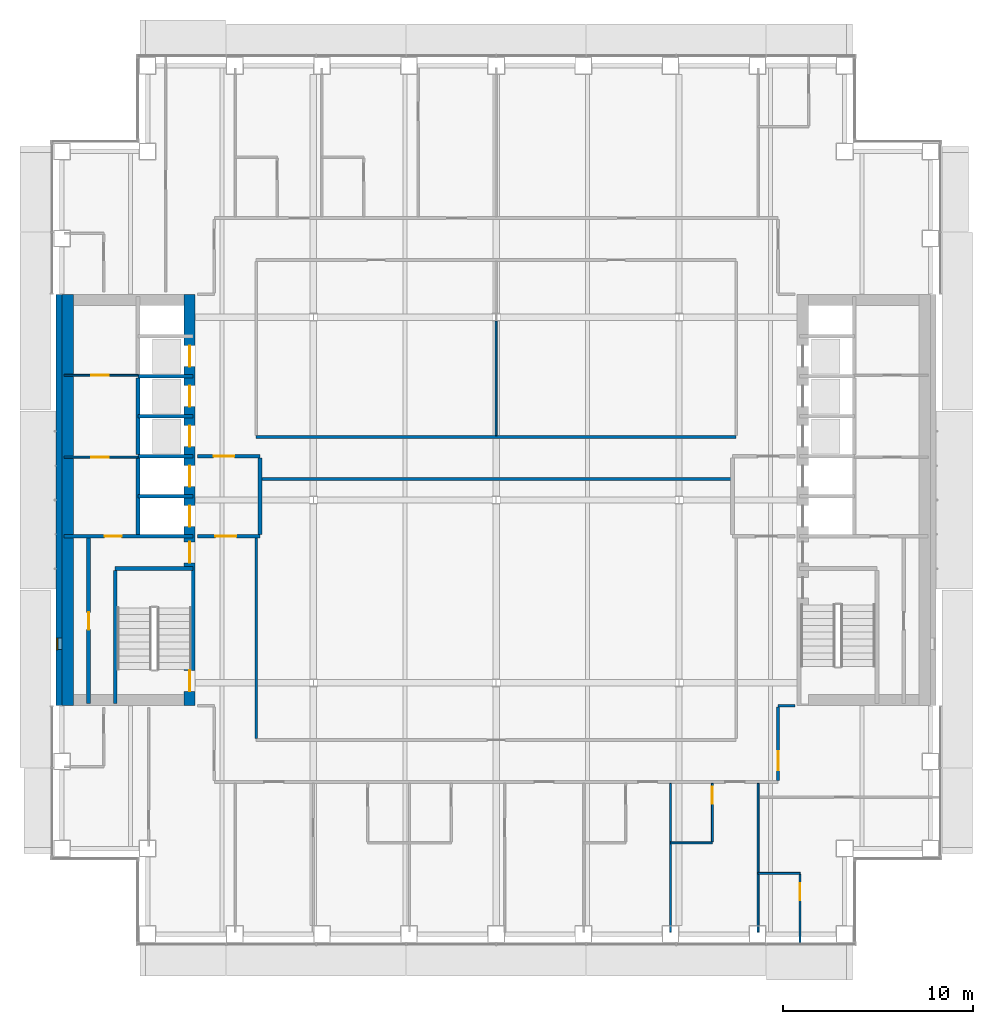
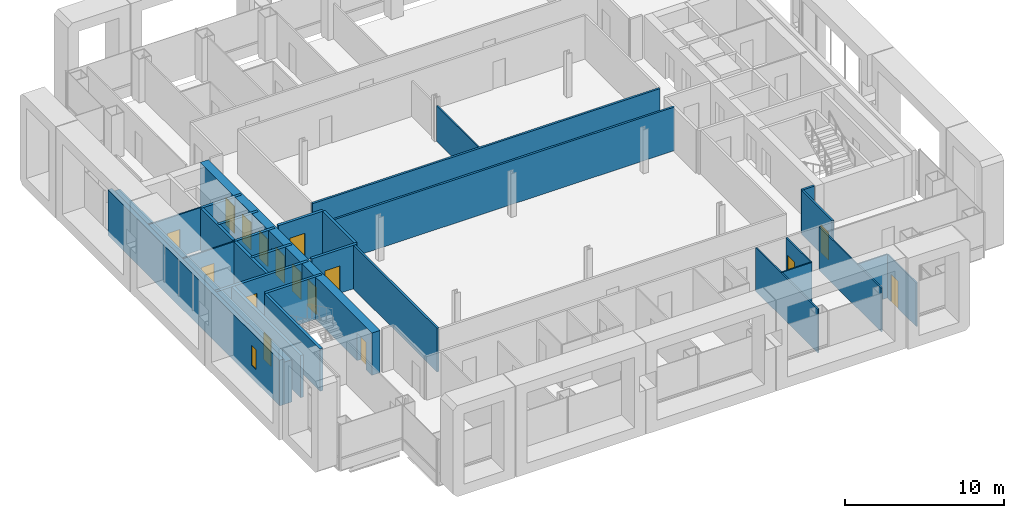
# One storey, part 11 of 19: 30 walls, 16 doors, 1 window, 17 openings.
"""IFC4 building model written with IfcOpenShell, lengths in metres."""

from ifc_helpers import new_model, si_unit, direction, frame, frame_2d, origin, place, context, subcontext, project, spatial, rectangle, extrude, material, layer, layer_set, type_object, element, fill, save


model = new_model("IFC4")

# Units and contexts
model_context = context("Model", 3, precision=1e-05, world=origin(), true_north=direction((0.0, 1.0)))
body_context = subcontext(model_context, "Body", "Model", "MODEL_VIEW")
ifc_project = project(units=[si_unit("LENGTHUNIT", "METRE"), si_unit("AREAUNIT", "SQUARE_METRE"), si_unit("VOLUMEUNIT", "CUBIC_METRE"), si_unit("PLANEANGLEUNIT", "RADIAN"), si_unit("MASSUNIT", "GRAM", prefix="KILO")], contexts=[model_context])

# Site, building, storey
site_placement = place(None, origin())
site = spatial("IfcSite", under=ifc_project, at=site_placement, CompositionType="ELEMENT")
building_placement = place(site_placement, origin())
building = spatial("IfcBuilding", under=site, at=building_placement, Name="Cobrizo Arcos Hotel Tower", CompositionType="ELEMENT")
storey_placement = place(building_placement, frame((0.0, 0.0, 103.0)))
storey = spatial("IfcBuildingStorey", under=building, at=storey_placement, Name="L25", CompositionType="ELEMENT", Elevation=103.0)

# Walls
ifc_material_1 = material(Name="Gypsum board partition")
ifc_layer_1 = layer(ifc_material_1, 0.14990234375)
ifc_layer_set_1 = layer_set([ifc_layer_1], Name="Corridor wall EI 60 150")
wall_type_1 = type_object("IfcWallType", Name="Corridor wall EI 60 150", PredefinedType="PARTITIONING", material=ifc_layer_set_1)
wall_1_placement = place(storey_placement, frame((14.800048828125, -10.800048828125, 0.0), z_axis=(0.0, 0.0, 1.0), x_axis=(1.0, 0.0, 0.0)))
element("IfcWall", 1, at=wall_1_placement, inside=storey, type_object=wall_type_1, Name="Partition 010", PredefinedType="PARTITIONING", context=body_context, shape_type="SweptSolid", body=[
    extrude(rectangle(XDim=0.8798828125, YDim=0.14990234375, at=frame_2d((0.43994140625, 0.0))), origin(), (0.0, 0.0, 1.0), 3.35009765625),
])
wall_2_placement = place(storey_placement, frame((-12.39990234375, 1.10009765625, 0.0), z_axis=(0.0, 0.0, 1.0), x_axis=(1.0, 0.0, 0.0)))
element("IfcWall", 2, at=wall_2_placement, inside=storey, type_object=wall_type_1, Name="Partition 019", PredefinedType="PARTITIONING", context=body_context, shape_type="SweptSolid", body=[
    extrude(rectangle(XDim=24.7998046875, YDim=0.14990234375, at=frame_2d((12.39990234375, 0.0))), origin(), (0.0, 0.0, 1.0), 3.35009765625),
])
wall_3_placement = place(storey_placement, frame((-12.60009765625, 3.300048828125, 0.0), z_axis=(0.0, 0.0, 1.0), x_axis=(1.0, 0.0, 0.0)))
element("IfcWall", 3, at=wall_3_placement, inside=storey, type_object=wall_type_1, Name="Partition 026", PredefinedType="PARTITIONING", context=body_context, shape_type="SweptSolid", body=[
    extrude(rectangle(XDim=25.2001953125, YDim=0.14990234375, at=frame_2d((12.60009765625, 0.0))), origin(), (0.0, 0.0, 1.0), 3.35009765625),
])
wall_4_placement = place(storey_placement, frame((-12.60009765625, -12.52490234375, 0.0), z_axis=(0.0, 0.0, 1.0), x_axis=(0.0, 1.0, 0.0)))
element("IfcWall", 4, at=wall_4_placement, inside=storey, type_object=wall_type_1, Name="Partition 056", PredefinedType="PARTITIONING", context=body_context, shape_type="SweptSolid", body=[
    extrude(rectangle(XDim=10.52490234375, YDim=0.14990234375, at=frame_2d((5.262451171875, 0.0))), origin(), (0.0, 0.0, 1.0), 3.35009765625),
])

# Wall, opening, door
wall_5_placement = place(storey_placement, frame((14.800048828125, -14.72509765625, 0.0), z_axis=(0.0, 0.0, 1.0), x_axis=(0.0, 1.0, 0.0)))
wall_5 = element("IfcWall", 5, at=wall_5_placement, inside=storey, type_object=wall_type_1, Name="Partition 084", PredefinedType="PARTITIONING", context=body_context, shape_type="SweptSolid", body=[
    extrude(rectangle(XDim=3.85009765625, YDim=0.14990234375, at=frame_2d((1.925048828125, 0.0))), origin(), (0.0, 0.0, 1.0), 3.35009765625),
])
opening_1_placement = place(wall_5_placement, frame((0.52490234375, 0.0, 0.0)))
opening_1 = element("IfcOpeningElement", 6, at=opening_1_placement, cuts=wall_5, Name="Opening GD-09", PredefinedType="OPENING", context=body_context, shape_type="SweptSolid", body=[
    extrude(rectangle(XDim=1.0, YDim=2.10009765625, at=frame_2d((0.5, 1.050048828125))), frame((0.0, 0.0869140625, 0.0), z_axis=(0.0, -1.0, 0.0), x_axis=(1.0, 0.0, 0.0)), (0.0, 0.0, 1.0), 0.173828125),
])
ifc_material_2 = material(Name="Timber door leaf", Category="wood")
door_type_1 = type_object("IfcDoorType", Name="Guest room door FD30S 1000x2100", OperationType="SINGLE_SWING_LEFT", PredefinedType="DOOR", material=ifc_material_2)
door_1_placement = place(opening_1_placement, origin())
door_1 = element("IfcDoor", 7, at=door_1_placement, inside=storey, type_object=door_type_1, Name="Door GD-09", OperationType="SINGLE_SWING_LEFT", OverallHeight=2.10009765625, OverallWidth=1.0, PredefinedType="DOOR", context=body_context, shape_type="SweptSolid", body=[
    extrude(rectangle(XDim=1.0, YDim=2.10009765625, at=frame_2d((0.5, 1.050048828125))), frame((0.0, 0.02490234375, 0.0), z_axis=(0.0, -1.0, 0.0), x_axis=(1.0, 0.0, 0.0)), (0.0, 0.0, 1.0), 0.050048828125),
])
fill(opening_1, door_1)

# Wall, opening, window
ifc_material_3 = material(Name="Aluminium composite panel pale metal", Category="aluminium")
ifc_layer_2 = layer(ifc_material_3, 0.300048828125)
ifc_layer_set_2 = layer_set([ifc_layer_2], Name="EW-1 insulated panel wall 300")
wall_type_2 = type_object("IfcWallType", Name="EW-1 insulated panel wall 300", PredefinedType="SOLIDWALL", material=ifc_layer_set_2)
wall_6_placement = place(storey_placement, frame((-22.949951171875, 10.800048828125, 0.0), z_axis=(0.0, 0.0, 1.0), x_axis=(0.0, -1.0, 0.0)))
wall_6 = element("IfcWall", 8, at=wall_6_placement, inside=storey, type_object=wall_type_2, Name="Core face wall L25 W", PredefinedType="SOLIDWALL", context=body_context, shape_type="SweptSolid", body=[
    extrude(rectangle(XDim=21.60009765625, YDim=0.300048828125, at=frame_2d((10.800048828125, 0.0))), origin(), (0.0, 0.0, 1.0), 3.5),
])
opening_2_placement = place(wall_6_placement, frame((18.050048828125, 0.0, 1.0)))
opening_2 = element("IfcOpeningElement", 9, at=opening_2_placement, cuts=wall_6, Name="Opening W-52", PredefinedType="OPENING", context=body_context, shape_type="SweptSolid", body=[
    extrude(rectangle(XDim=0.60009765625, YDim=1.5, at=frame_2d((0.300048828125, 0.75))), frame((0.0, 0.162109375, 0.0), z_axis=(0.0, -1.0, 0.0), x_axis=(1.0, 0.0, 0.0)), (0.0, 0.0, 1.0), 0.323974609375),
])
ifc_material_4 = material(Name="Aluminium 6063-T6 and clear laminated glass", Category="aluminium")
window_type = type_object("IfcWindowType", Name="W-C1 core stair slot window 600x1500", PartitioningType="SINGLE_PANEL", PredefinedType="WINDOW", material=ifc_material_4)
window_placement = place(opening_2_placement, origin())
window = element("IfcWindow", 10, at=window_placement, inside=storey, type_object=window_type, Name="Core face wall L25 W window W-52", OverallHeight=1.5, OverallWidth=0.60009765625, PartitioningType="SINGLE_PANEL", PredefinedType="WINDOW", context=body_context, shape_type="SweptSolid", body=[
    extrude(rectangle(XDim=0.60009765625, YDim=1.5, at=frame_2d((0.300048828125, 0.75))), frame((0.0, -0.06005859375, 0.0), z_axis=(0.0, -1.0, 0.0), x_axis=(1.0, 0.0, 0.0)), (0.0, 0.0, 1.0), 0.06005859375),
])
fill(opening_2, window)

# Walls
ifc_layer_3 = layer(ifc_material_1, 0.10009765625)
ifc_layer_set_3 = layer_set([ifc_layer_3], Name="Partition EI 30 100")
wall_type_3 = type_object("IfcWallType", Name="Partition EI 30 100", PredefinedType="PARTITIONING", material=ifc_layer_set_3)
wall_7_placement = place(storey_placement, frame((13.75, -19.60009765625, 0.0), z_axis=(0.0, 0.0, 1.0), x_axis=(1.0, 0.0, 0.0)))
element("IfcWall", 11, at=wall_7_placement, inside=storey, type_object=wall_type_3, Name="Partition 001", PredefinedType="PARTITIONING", context=body_context, shape_type="SweptSolid", body=[
    extrude(rectangle(XDim=2.199951171875, YDim=0.10009765625, at=frame_2d((1.10009765625, 0.0))), origin(), (0.0, 0.0, 1.0), 3.35009765625),
])
wall_8_placement = place(storey_placement, frame((9.14990234375, -18.0, 0.0), z_axis=(0.0, 0.0, 1.0), x_axis=(1.0, 0.0, 0.0)))
element("IfcWall", 12, at=wall_8_placement, inside=storey, type_object=wall_type_3, Name="Partition 004", PredefinedType="PARTITIONING", context=body_context, shape_type="SweptSolid", body=[
    extrude(rectangle(XDim=2.2001953125, YDim=0.10009765625, at=frame_2d((1.10009765625, 0.0))), origin(), (0.0, 0.0, 1.0), 3.35009765625),
])

# Wall, opening, door
wall_9_placement = place(storey_placement, frame((-22.679931640625, 2.25, 0.0), z_axis=(0.0, 0.0, 1.0), x_axis=(1.0, 0.0, 0.0)))
wall_9 = element("IfcWall", 13, at=wall_9_placement, inside=storey, type_object=wall_type_3, Name="Partition 020", PredefinedType="PARTITIONING", context=body_context, shape_type="SweptSolid", body=[
    extrude(rectangle(XDim=3.8798828125, YDim=0.10009765625, at=frame_2d((1.93994140625, 0.0))), origin(), (0.0, 0.0, 1.0), 3.25),
])
opening_3_placement = place(wall_9_placement, frame((1.429931640625, 0.0, 0.0)))
opening_3 = element("IfcOpeningElement", 14, at=opening_3_placement, cuts=wall_9, Name="Opening RD-03", PredefinedType="OPENING", context=body_context, shape_type="SweptSolid", body=[
    extrude(rectangle(XDim=0.89990234375, YDim=2.10009765625, at=frame_2d((0.449951171875, 1.050048828125))), frame((0.0, 0.06201171875, 0.0), z_axis=(0.0, -1.0, 0.0), x_axis=(1.0, 0.0, 0.0)), (0.0, 0.0, 1.0), 0.1240234375),
])
door_type_2 = type_object("IfcDoorType", Name="Room door FD30 900x2100", OperationType="SINGLE_SWING_LEFT", PredefinedType="DOOR", material=ifc_material_2)
door_2_placement = place(opening_3_placement, origin())
door_2 = element("IfcDoor", 15, at=door_2_placement, inside=storey, type_object=door_type_2, Name="Door RD-03", OperationType="SINGLE_SWING_LEFT", OverallHeight=2.10009765625, OverallWidth=0.89990234375, PredefinedType="DOOR", context=body_context, shape_type="SweptSolid", body=[
    extrude(rectangle(XDim=0.89990234375, YDim=2.10009765625, at=frame_2d((0.449951171875, 1.050048828125))), frame((0.0, 0.02490234375, 0.0), z_axis=(0.0, -1.0, 0.0), x_axis=(1.0, 0.0, 0.0)), (0.0, 0.0, 1.0), 0.050048828125),
])
fill(opening_3, door_2)

wall_10_placement = place(storey_placement, frame((-22.679931640625, 6.550048828125, 0.0), z_axis=(0.0, 0.0, 1.0), x_axis=(1.0, 0.0, 0.0)))
wall_10 = element("IfcWall", 16, at=wall_10_placement, inside=storey, type_object=wall_type_3, Name="Partition 031", PredefinedType="PARTITIONING", context=body_context, shape_type="SweptSolid", body=[
    extrude(rectangle(XDim=3.8798828125, YDim=0.10009765625, at=frame_2d((1.93994140625, 0.0))), origin(), (0.0, 0.0, 1.0), 3.25),
])
opening_4_placement = place(wall_10_placement, frame((1.429931640625, 0.0, 0.0)))
opening_4 = element("IfcOpeningElement", 17, at=opening_4_placement, cuts=wall_10, Name="Opening RD-04", PredefinedType="OPENING", context=body_context, shape_type="SweptSolid", body=[
    extrude(rectangle(XDim=0.89990234375, YDim=2.10009765625, at=frame_2d((0.449951171875, 1.050048828125))), frame((0.0, 0.06201171875, 0.0), z_axis=(0.0, -1.0, 0.0), x_axis=(1.0, 0.0, 0.0)), (0.0, 0.0, 1.0), 0.1240234375),
])
door_3_placement = place(opening_4_placement, origin())
door_3 = element("IfcDoor", 18, at=door_3_placement, inside=storey, type_object=door_type_2, Name="Door RD-04", OperationType="SINGLE_SWING_LEFT", OverallHeight=2.10009765625, OverallWidth=0.89990234375, PredefinedType="DOOR", context=body_context, shape_type="SweptSolid", body=[
    extrude(rectangle(XDim=0.89990234375, YDim=2.10009765625, at=frame_2d((0.449951171875, 1.050048828125))), frame((0.0, 0.02490234375, 0.0), z_axis=(0.0, -1.0, 0.0), x_axis=(1.0, 0.0, 0.0)), (0.0, 0.0, 1.0), 0.050048828125),
])
fill(opening_4, door_3)

# Walls
wall_11_placement = place(storey_placement, frame((0.0, 3.375, 0.0), z_axis=(0.0, 0.0, 1.0), x_axis=(0.0, 1.0, 0.0)))
element("IfcWall", 19, at=wall_11_placement, inside=storey, type_object=wall_type_3, Name="Partition 069", PredefinedType="PARTITIONING", context=body_context, shape_type="SweptSolid", body=[
    extrude(rectangle(XDim=6.02587890625, YDim=0.10009765625, at=frame_2d((3.012939453125, 0.0))), origin(), (0.0, 0.0, 1.0), 2.72802734375),
])
wall_12_placement = place(storey_placement, frame((9.14990234375, -22.679931640625, 0.0), z_axis=(0.0, 0.0, 1.0), x_axis=(0.0, 1.0, 0.0)))
element("IfcWall", 20, at=wall_12_placement, inside=storey, type_object=wall_type_3, Name="Partition 077", PredefinedType="PARTITIONING", context=body_context, shape_type="SweptSolid", body=[
    extrude(rectangle(XDim=7.804931640625, YDim=0.10009765625, at=frame_2d((3.90234375, 0.0))), origin(), (0.0, 0.0, 1.0), 3.35009765625),
])

# Wall, opening, door
wall_13_placement = place(storey_placement, frame((11.35009765625, -17.949951171875, 0.0), z_axis=(0.0, 0.0, 1.0), x_axis=(0.0, 1.0, 0.0)))
wall_13 = element("IfcWall", 21, at=wall_13_placement, inside=storey, type_object=wall_type_3, Name="Partition 078", PredefinedType="PARTITIONING", context=body_context, shape_type="SweptSolid", body=[
    extrude(rectangle(XDim=3.074951171875, YDim=0.10009765625, at=frame_2d((1.53759765625, 0.0))), origin(), (0.0, 0.0, 1.0), 3.35009765625),
])
opening_5_placement = place(wall_13_placement, frame((1.99609375, 0.0, 0.0)))
opening_5 = element("IfcOpeningElement", 22, at=opening_5_placement, cuts=wall_13, Name="Opening ED-06", PredefinedType="OPENING", context=body_context, shape_type="SweptSolid", body=[
    extrude(rectangle(XDim=0.89990234375, YDim=2.10009765625, at=frame_2d((0.449951171875, 1.050048828125))), frame((0.0, 0.06201171875, 0.0), z_axis=(0.0, -1.0, 0.0), x_axis=(1.0, 0.0, 0.0)), (0.0, 0.0, 1.0), 0.1240234375),
])
door_type_3 = type_object("IfcDoorType", Name="En-suite door 900x2100", OperationType="SINGLE_SWING_LEFT", PredefinedType="DOOR", material=ifc_material_2)
door_4_placement = place(opening_5_placement, origin())
door_4 = element("IfcDoor", 23, at=door_4_placement, inside=storey, type_object=door_type_3, Name="Door ED-06", OperationType="SINGLE_SWING_LEFT", OverallHeight=2.10009765625, OverallWidth=0.89990234375, PredefinedType="DOOR", context=body_context, shape_type="SweptSolid", body=[
    extrude(rectangle(XDim=0.89990234375, YDim=2.10009765625, at=frame_2d((0.449951171875, 1.050048828125))), frame((0.0, 0.02490234375, 0.0), z_axis=(0.0, -1.0, 0.0), x_axis=(1.0, 0.0, 0.0)), (0.0, 0.0, 1.0), 0.050048828125),
])
fill(opening_5, door_4)

# Wall
wall_14_placement = place(storey_placement, frame((13.75, -22.679931640625, 0.0), z_axis=(0.0, 0.0, 1.0), x_axis=(0.0, 1.0, 0.0)))
element("IfcWall", 24, at=wall_14_placement, inside=storey, type_object=wall_type_3, Name="Partition 082", PredefinedType="PARTITIONING", context=body_context, shape_type="SweptSolid", body=[
    extrude(rectangle(XDim=7.804931640625, YDim=0.10009765625, at=frame_2d((3.90234375, 0.0))), origin(), (0.0, 0.0, 1.0), 3.35009765625),
])

# Wall, opening, door
wall_15_placement = place(storey_placement, frame((15.949951171875, -23.280029296875, 0.0), z_axis=(0.0, 0.0, 1.0), x_axis=(0.0, 1.0, 0.0)))
wall_15 = element("IfcWall", 25, at=wall_15_placement, inside=storey, type_object=wall_type_3, Name="Partition 086", PredefinedType="PARTITIONING", context=body_context, shape_type="SweptSolid", body=[
    extrude(rectangle(XDim=3.630126953125, YDim=0.10009765625, at=frame_2d((1.81494140625, 0.0))), origin(), (0.0, 0.0, 1.0), 3.35009765625),
])
opening_6_placement = place(wall_15_placement, frame((2.27001953125, 0.0, 0.0)))
opening_6 = element("IfcOpeningElement", 26, at=opening_6_placement, cuts=wall_15, Name="Opening ED-09", PredefinedType="OPENING", context=body_context, shape_type="SweptSolid", body=[
    extrude(rectangle(XDim=0.89990234375, YDim=2.10009765625, at=frame_2d((0.449951171875, 1.050048828125))), frame((0.0, 0.06201171875, 0.0), z_axis=(0.0, -1.0, 0.0), x_axis=(1.0, 0.0, 0.0)), (0.0, 0.0, 1.0), 0.1240234375),
])
door_5_placement = place(opening_6_placement, origin())
door_5 = element("IfcDoor", 27, at=door_5_placement, inside=storey, type_object=door_type_3, Name="Door ED-09", OperationType="SINGLE_SWING_LEFT", OverallHeight=2.10009765625, OverallWidth=0.89990234375, PredefinedType="DOOR", context=body_context, shape_type="SweptSolid", body=[
    extrude(rectangle(XDim=0.89990234375, YDim=2.10009765625, at=frame_2d((0.449951171875, 1.050048828125))), frame((0.0, 0.02490234375, 0.0), z_axis=(0.0, -1.0, 0.0), x_axis=(1.0, 0.0, 0.0)), (0.0, 0.0, 1.0), 0.050048828125),
])
fill(opening_6, door_5)

# Wall, openings, doors
ifc_material_5 = material(Name="Concrete f'c 50 MPa", Category="concrete")
ifc_layer_4 = layer(ifc_material_5, 0.60009765625)
ifc_layer_set_4 = layer_set([ifc_layer_4], Name="RC core wall 600 f'c 50")
wall_type_4 = type_object("IfcWallType", Name="RC core wall 600 f'c 50", PredefinedType="SHEAR", material=ifc_layer_set_4)
wall_16_placement = place(storey_placement, frame((-16.10009765625, -10.800048828125, 0.0), z_axis=(0.0, 0.0, 1.0), x_axis=(0.0, 1.0, 0.0)))
wall_16 = element("IfcWall", 28, at=wall_16_placement, inside=storey, type_object=wall_type_4, Name="Core wall CW2, west core, inner face, L25", PredefinedType="SHEAR", context=body_context, shape_type="SweptSolid", body=[
    extrude(rectangle(XDim=21.60009765625, YDim=0.60009765625, at=frame_2d((10.800048828125, 0.0))), origin(), (0.0, 0.0, 1.0), 3.25),
])
opening_7_placement = place(wall_16_placement, frame((9.39990234375, 0.0, 0.0)))
opening_7 = element("IfcOpeningElement", 29, at=opening_7_placement, cuts=wall_16, Name="Opening LD-01", PredefinedType="OPENING", context=body_context, shape_type="SweptSolid", body=[
    extrude(rectangle(XDim=1.10009765625, YDim=2.10009765625, at=frame_2d((0.550048828125, 1.050048828125))), frame((0.0, 0.31201171875, 0.0), z_axis=(0.0, -1.0, 0.0), x_axis=(1.0, 0.0, 0.0)), (0.0, 0.0, 1.0), 0.6240234375),
])
opening_8_placement = place(wall_16_placement, frame((11.5, 0.0, 0.0)))
opening_8 = element("IfcOpeningElement", 30, at=opening_8_placement, cuts=wall_16, Name="Opening LD-02", PredefinedType="OPENING", context=body_context, shape_type="SweptSolid", body=[
    extrude(rectangle(XDim=1.10009765625, YDim=2.10009765625, at=frame_2d((0.550048828125, 1.050048828125))), frame((0.0, 0.31201171875, 0.0), z_axis=(0.0, -1.0, 0.0), x_axis=(1.0, 0.0, 0.0)), (0.0, 0.0, 1.0), 0.6240234375),
])
opening_9_placement = place(wall_16_placement, frame((13.60009765625, 0.0, 0.0)))
opening_9 = element("IfcOpeningElement", 31, at=opening_9_placement, cuts=wall_16, Name="Opening LD-03", PredefinedType="OPENING", context=body_context, shape_type="SweptSolid", body=[
    extrude(rectangle(XDim=1.10009765625, YDim=2.10009765625, at=frame_2d((0.550048828125, 1.050048828125))), frame((0.0, 0.31201171875, 0.0), z_axis=(0.0, -1.0, 0.0), x_axis=(1.0, 0.0, 0.0)), (0.0, 0.0, 1.0), 0.6240234375),
])
opening_10_placement = place(wall_16_placement, frame((15.699951171875, 0.0, 0.0)))
opening_10 = element("IfcOpeningElement", 32, at=opening_10_placement, cuts=wall_16, Name="Opening LD-04", PredefinedType="OPENING", context=body_context, shape_type="SweptSolid", body=[
    extrude(rectangle(XDim=1.10009765625, YDim=2.10009765625, at=frame_2d((0.550048828125, 1.050048828125))), frame((0.0, 0.31201171875, 0.0), z_axis=(0.0, -1.0, 0.0), x_axis=(1.0, 0.0, 0.0)), (0.0, 0.0, 1.0), 0.6240234375),
])
opening_11_placement = place(wall_16_placement, frame((17.800048828125, 0.0, 0.0)))
opening_11 = element("IfcOpeningElement", 33, at=opening_11_placement, cuts=wall_16, Name="Opening LD-05", PredefinedType="OPENING", context=body_context, shape_type="SweptSolid", body=[
    extrude(rectangle(XDim=1.10009765625, YDim=2.10009765625, at=frame_2d((0.550048828125, 1.050048828125))), frame((0.0, 0.31201171875, 0.0), z_axis=(0.0, -1.0, 0.0), x_axis=(1.0, 0.0, 0.0)), (0.0, 0.0, 1.0), 0.6240234375),
])
opening_12_placement = place(wall_16_placement, frame((0.758056640625, 0.0, 0.0)))
opening_12 = element("IfcOpeningElement", 34, at=opening_12_placement, cuts=wall_16, Name="Opening SD-01", PredefinedType="OPENING", context=body_context, shape_type="SweptSolid", body=[
    extrude(rectangle(XDim=1.10009765625, YDim=2.10009765625, at=frame_2d((0.550048828125, 1.050048828125))), frame((0.0, 0.31201171875, 0.0), z_axis=(0.0, -1.0, 0.0), x_axis=(1.0, 0.0, 0.0)), (0.0, 0.0, 1.0), 0.6240234375),
])
opening_13_placement = place(wall_16_placement, frame((7.5, 0.0, 0.0)))
opening_13 = element("IfcOpeningElement", 35, at=opening_13_placement, cuts=wall_16, Name="Opening FD-01", PredefinedType="OPENING", context=body_context, shape_type="SweptSolid", body=[
    extrude(rectangle(XDim=1.10009765625, YDim=2.10009765625, at=frame_2d((0.550048828125, 1.050048828125))), frame((0.0, 0.31201171875, 0.0), z_axis=(0.0, -1.0, 0.0), x_axis=(1.0, 0.0, 0.0)), (0.0, 0.0, 1.0), 0.6240234375),
])
ifc_material_6 = material(Name="Steel door leaf", Category="steel")
door_type_4 = type_object("IfcDoorType", Name="Fire door FD60 1100x2100", OperationType="SINGLE_SWING_LEFT", PredefinedType="DOOR", material=ifc_material_6)
door_6_placement = place(opening_13_placement, origin())
door_6 = element("IfcDoor", 36, at=door_6_placement, inside=storey, type_object=door_type_4, Name="Door FD-01", OperationType="SINGLE_SWING_LEFT", OverallHeight=2.10009765625, OverallWidth=1.10009765625, PredefinedType="DOOR", context=body_context, shape_type="SweptSolid", body=[
    extrude(rectangle(XDim=1.10009765625, YDim=2.10009765625, at=frame_2d((0.550048828125, 1.050048828125))), frame((0.0, 0.02490234375, 0.0), z_axis=(0.0, -1.0, 0.0), x_axis=(1.0, 0.0, 0.0)), (0.0, 0.0, 1.0), 0.050048828125),
])
fill(opening_13, door_6)
door_type_5 = type_object("IfcDoorType", Name="Lift landing door 1100x2100", OperationType="SLIDING_TO_LEFT", PredefinedType="DOOR", material=ifc_material_6)
door_7_placement = place(opening_7_placement, origin())
door_7 = element("IfcDoor", 37, at=door_7_placement, inside=storey, type_object=door_type_5, Name="Lift landing door LD-01", OperationType="SLIDING_TO_LEFT", OverallHeight=2.10009765625, OverallWidth=1.10009765625, PredefinedType="DOOR", context=body_context, shape_type="SweptSolid", body=[
    extrude(rectangle(XDim=1.10009765625, YDim=2.10009765625, at=frame_2d((0.550048828125, 1.050048828125))), frame((0.0, 0.02490234375, 0.0), z_axis=(0.0, -1.0, 0.0), x_axis=(1.0, 0.0, 0.0)), (0.0, 0.0, 1.0), 0.050048828125),
])
fill(opening_7, door_7)
door_8_placement = place(opening_8_placement, origin())
door_8 = element("IfcDoor", 38, at=door_8_placement, inside=storey, type_object=door_type_5, Name="Lift landing door LD-02", OperationType="SLIDING_TO_LEFT", OverallHeight=2.10009765625, OverallWidth=1.10009765625, PredefinedType="DOOR", context=body_context, shape_type="SweptSolid", body=[
    extrude(rectangle(XDim=1.10009765625, YDim=2.10009765625, at=frame_2d((0.550048828125, 1.050048828125))), frame((0.0, 0.02490234375, 0.0), z_axis=(0.0, -1.0, 0.0), x_axis=(1.0, 0.0, 0.0)), (0.0, 0.0, 1.0), 0.050048828125),
])
fill(opening_8, door_8)
door_9_placement = place(opening_9_placement, origin())
door_9 = element("IfcDoor", 39, at=door_9_placement, inside=storey, type_object=door_type_5, Name="Lift landing door LD-03", OperationType="SLIDING_TO_LEFT", OverallHeight=2.10009765625, OverallWidth=1.10009765625, PredefinedType="DOOR", context=body_context, shape_type="SweptSolid", body=[
    extrude(rectangle(XDim=1.10009765625, YDim=2.10009765625, at=frame_2d((0.550048828125, 1.050048828125))), frame((0.0, 0.02490234375, 0.0), z_axis=(0.0, -1.0, 0.0), x_axis=(1.0, 0.0, 0.0)), (0.0, 0.0, 1.0), 0.050048828125),
])
fill(opening_9, door_9)
door_10_placement = place(opening_10_placement, origin())
door_10 = element("IfcDoor", 40, at=door_10_placement, inside=storey, type_object=door_type_5, Name="Lift landing door LD-04", OperationType="SLIDING_TO_LEFT", OverallHeight=2.10009765625, OverallWidth=1.10009765625, PredefinedType="DOOR", context=body_context, shape_type="SweptSolid", body=[
    extrude(rectangle(XDim=1.10009765625, YDim=2.10009765625, at=frame_2d((0.550048828125, 1.050048828125))), frame((0.0, 0.02490234375, 0.0), z_axis=(0.0, -1.0, 0.0), x_axis=(1.0, 0.0, 0.0)), (0.0, 0.0, 1.0), 0.050048828125),
])
fill(opening_10, door_10)
door_11_placement = place(opening_11_placement, origin())
door_11 = element("IfcDoor", 41, at=door_11_placement, inside=storey, type_object=door_type_5, Name="Lift landing door LD-05", OperationType="SLIDING_TO_LEFT", OverallHeight=2.10009765625, OverallWidth=1.10009765625, PredefinedType="DOOR", context=body_context, shape_type="SweptSolid", body=[
    extrude(rectangle(XDim=1.10009765625, YDim=2.10009765625, at=frame_2d((0.550048828125, 1.050048828125))), frame((0.0, 0.02490234375, 0.0), z_axis=(0.0, -1.0, 0.0), x_axis=(1.0, 0.0, 0.0)), (0.0, 0.0, 1.0), 0.050048828125),
])
fill(opening_11, door_11)
door_type_6 = type_object("IfcDoorType", Name="Stair door FD60S 1100x2100", OperationType="SINGLE_SWING_LEFT", PredefinedType="DOOR", material=ifc_material_6)
door_12_placement = place(opening_12_placement, origin())
door_12 = element("IfcDoor", 42, at=door_12_placement, inside=storey, type_object=door_type_6, Name="Door SD-01", OperationType="SINGLE_SWING_RIGHT", OverallHeight=2.10009765625, OverallWidth=1.10009765625, PredefinedType="DOOR", context=body_context, shape_type="SweptSolid", body=[
    extrude(rectangle(XDim=1.10009765625, YDim=2.10009765625, at=frame_2d((0.550048828125, 1.050048828125))), frame((0.0, 0.02490234375, 0.0), z_axis=(0.0, -1.0, 0.0), x_axis=(1.0, 0.0, 0.0)), (0.0, 0.0, 1.0), 0.050048828125),
])
fill(opening_12, door_12)

# Wall
wall_17_placement = place(storey_placement, frame((-22.5, -10.800048828125, 0.0), z_axis=(0.0, 0.0, 1.0), x_axis=(0.0, 1.0, 0.0)))
element("IfcWall", 43, at=wall_17_placement, inside=storey, type_object=wall_type_4, Name="Core wall CW2, west core, outer face, L25", PredefinedType="SHEAR", context=body_context, shape_type="SweptSolid", body=[
    extrude(rectangle(XDim=21.60009765625, YDim=0.60009765625, at=frame_2d((10.800048828125, 0.0))), origin(), (0.0, 0.0, 1.0), 3.25),
])

# Wall, opening, door
ifc_layer_5 = layer(ifc_material_1, 0.199951171875)
ifc_layer_set_5 = layer_set([ifc_layer_5], Name="Shaft wall EI 120 200")
wall_type_5 = type_object("IfcWallType", Name="Shaft wall EI 120 200", PredefinedType="PARTITIONING", material=ifc_layer_set_5)
wall_18_placement = place(storey_placement, frame((-22.679931640625, -1.89990234375, 0.0), z_axis=(0.0, 0.0, 1.0), x_axis=(1.0, 0.0, 0.0)))
wall_18 = element("IfcWall", 44, at=wall_18_placement, inside=storey, type_object=wall_type_5, Name="Partition 013", PredefinedType="PARTITIONING", context=body_context, shape_type="SweptSolid", body=[
    extrude(rectangle(XDim=6.760009765625, YDim=0.199951171875, at=frame_2d((3.3798828125, 0.0))), origin(), (0.0, 0.0, 1.0), 3.25),
])
opening_14_placement = place(wall_18_placement, frame((2.1201171875, 0.0, 0.0)))
opening_14 = element("IfcOpeningElement", 45, at=opening_14_placement, cuts=wall_18, Name="Opening RD-02", PredefinedType="OPENING", context=body_context, shape_type="SweptSolid", body=[
    extrude(rectangle(XDim=0.89990234375, YDim=2.10009765625, at=frame_2d((0.449951171875, 1.050048828125))), frame((0.0, 0.112060546875, 0.0), z_axis=(0.0, -1.0, 0.0), x_axis=(1.0, 0.0, 0.0)), (0.0, 0.0, 1.0), 0.223876953125),
])
door_13_placement = place(opening_14_placement, origin())
door_13 = element("IfcDoor", 46, at=door_13_placement, inside=storey, type_object=door_type_2, Name="Door RD-02", OperationType="SINGLE_SWING_RIGHT", OverallHeight=2.10009765625, OverallWidth=0.89990234375, PredefinedType="DOOR", context=body_context, shape_type="SweptSolid", body=[
    extrude(rectangle(XDim=0.89990234375, YDim=2.10009765625, at=frame_2d((0.449951171875, 1.050048828125))), frame((0.0, 0.02490234375, 0.0), z_axis=(0.0, -1.0, 0.0), x_axis=(1.0, 0.0, 0.0)), (0.0, 0.0, 1.0), 0.050048828125),
])
fill(opening_14, door_13)

wall_19_placement = place(storey_placement, frame((-15.679931640625, -1.89990234375, 0.0), z_axis=(0.0, 0.0, 1.0), x_axis=(1.0, 0.0, 0.0)))
wall_19 = element("IfcWall", 47, at=wall_19_placement, inside=storey, type_object=wall_type_5, Name="Partition 014", PredefinedType="PARTITIONING", context=body_context, shape_type="SweptSolid", body=[
    extrude(rectangle(XDim=3.280029296875, YDim=0.199951171875, at=frame_2d((1.64013671875, 0.0))), origin(), (0.0, 0.0, 1.0), 3.35009765625),
])
opening_15_placement = place(wall_19_placement, frame((0.93994140625, 0.0, 0.0)))
opening_15 = element("IfcOpeningElement", 48, at=opening_15_placement, cuts=wall_19, Name="Opening FD-02", PredefinedType="OPENING", context=body_context, shape_type="SweptSolid", body=[
    extrude(rectangle(XDim=1.10009765625, YDim=2.10009765625, at=frame_2d((0.550048828125, 1.050048828125))), frame((0.0, 0.112060546875, 0.0), z_axis=(0.0, -1.0, 0.0), x_axis=(1.0, 0.0, 0.0)), (0.0, 0.0, 1.0), 0.223876953125),
])
door_14_placement = place(opening_15_placement, origin())
door_14 = element("IfcDoor", 49, at=door_14_placement, inside=storey, type_object=door_type_4, Name="Door FD-02", OperationType="SINGLE_SWING_LEFT", OverallHeight=2.10009765625, OverallWidth=1.10009765625, PredefinedType="DOOR", context=body_context, shape_type="SweptSolid", body=[
    extrude(rectangle(XDim=1.10009765625, YDim=2.10009765625, at=frame_2d((0.550048828125, 1.050048828125))), frame((0.0, 0.02490234375, 0.0), z_axis=(0.0, -1.0, 0.0), x_axis=(1.0, 0.0, 0.0)), (0.0, 0.0, 1.0), 0.050048828125),
])
fill(opening_15, door_14)

# Walls
for number, where, z_axis, x_axis, name in (
    (50, (-18.800048828125, 0.199951171875, 0.0), (0.0, 0.0, 1.0), (1.0, 0.0, 0.0), "Partition 017"),
    (51, (-18.800048828125, 2.300048828125, 0.0), (0.0, 0.0, 1.0), (1.0, 0.0, 0.0), "Partition 022"),
):
    element("IfcWall", number, at=place(storey_placement, frame(where, z_axis=z_axis, x_axis=x_axis)), inside=storey, type_object=wall_type_5, Name=name, PredefinedType="PARTITIONING", context=body_context, shape_type="SweptSolid", body=[
        extrude(rectangle(XDim=2.880126953125, YDim=0.199951171875, at=frame_2d((1.43994140625, 0.0))), origin(), (0.0, 0.0, 1.0), 3.25),
    ])

# Wall, opening, door
wall_20_placement = place(storey_placement, frame((-15.679931640625, 2.300048828125, 0.0), z_axis=(0.0, 0.0, 1.0), x_axis=(1.0, 0.0, 0.0)))
wall_20 = element("IfcWall", 52, at=wall_20_placement, inside=storey, type_object=wall_type_5, Name="Partition 023", PredefinedType="PARTITIONING", context=body_context, shape_type="SweptSolid", body=[
    extrude(rectangle(XDim=3.280029296875, YDim=0.199951171875, at=frame_2d((1.64013671875, 0.0))), origin(), (0.0, 0.0, 1.0), 3.35009765625),
])
opening_16_placement = place(wall_20_placement, frame((0.840087890625, 0.0, 0.0)))
opening_16 = element("IfcOpeningElement", 53, at=opening_16_placement, cuts=wall_20, Name="Opening FD-03", PredefinedType="OPENING", context=body_context, shape_type="SweptSolid", body=[
    extrude(rectangle(XDim=1.10009765625, YDim=2.10009765625, at=frame_2d((0.550048828125, 1.050048828125))), frame((0.0, 0.112060546875, 0.0), z_axis=(0.0, -1.0, 0.0), x_axis=(1.0, 0.0, 0.0)), (0.0, 0.0, 1.0), 0.223876953125),
])
door_15_placement = place(opening_16_placement, origin())
door_15 = element("IfcDoor", 54, at=door_15_placement, inside=storey, type_object=door_type_4, Name="Door FD-03", OperationType="SINGLE_SWING_RIGHT", OverallHeight=2.10009765625, OverallWidth=1.10009765625, PredefinedType="DOOR", context=body_context, shape_type="SweptSolid", body=[
    extrude(rectangle(XDim=1.10009765625, YDim=2.10009765625, at=frame_2d((0.550048828125, 1.050048828125))), frame((0.0, 0.02490234375, 0.0), z_axis=(0.0, -1.0, 0.0), x_axis=(1.0, 0.0, 0.0)), (0.0, 0.0, 1.0), 0.050048828125),
])
fill(opening_16, door_15)

# Walls
for number, where, z_axis, x_axis, name in (
    (55, (-18.800048828125, 4.39990234375, 0.0), (0.0, 0.0, 1.0), (1.0, 0.0, 0.0), "Partition 027"),
    (56, (-18.800048828125, 6.5, 0.0), (0.0, 0.0, 1.0), (1.0, 0.0, 0.0), "Partition 029"),
):
    element("IfcWall", number, at=place(storey_placement, frame(where, z_axis=z_axis, x_axis=x_axis)), inside=storey, type_object=wall_type_5, Name=name, PredefinedType="PARTITIONING", context=body_context, shape_type="SweptSolid", body=[
        extrude(rectangle(XDim=2.880126953125, YDim=0.199951171875, at=frame_2d((1.43994140625, 0.0))), origin(), (0.0, 0.0, 1.0), 3.25),
    ])

# Wall, opening, door
wall_21_placement = place(storey_placement, frame((-21.39990234375, -10.679931640625, 0.0), z_axis=(0.0, 0.0, 1.0), x_axis=(0.0, 1.0, 0.0)))
wall_21 = element("IfcWall", 57, at=wall_21_placement, inside=storey, type_object=wall_type_5, Name="Partition 043", PredefinedType="PARTITIONING", context=body_context, shape_type="SweptSolid", body=[
    extrude(rectangle(XDim=8.679931640625, YDim=0.199951171875, at=frame_2d((4.33984375, 0.0))), origin(), (0.0, 0.0, 1.0), 3.25),
])
opening_17_placement = place(wall_21_placement, frame((3.8798828125, 0.0, 0.0)))
opening_17 = element("IfcOpeningElement", 58, at=opening_17_placement, cuts=wall_21, Name="Opening RD-01", PredefinedType="OPENING", context=body_context, shape_type="SweptSolid", body=[
    extrude(rectangle(XDim=0.89990234375, YDim=2.10009765625, at=frame_2d((0.449951171875, 1.050048828125))), frame((0.0, 0.112060546875, 0.0), z_axis=(0.0, -1.0, 0.0), x_axis=(1.0, 0.0, 0.0)), (0.0, 0.0, 1.0), 0.223876953125),
])
door_16_placement = place(opening_17_placement, origin())
door_16 = element("IfcDoor", 59, at=door_16_placement, inside=storey, type_object=door_type_2, Name="Door RD-01", OperationType="SINGLE_SWING_LEFT", OverallHeight=2.10009765625, OverallWidth=0.89990234375, PredefinedType="DOOR", context=body_context, shape_type="SweptSolid", body=[
    extrude(rectangle(XDim=0.89990234375, YDim=2.10009765625, at=frame_2d((0.449951171875, 1.050048828125))), frame((0.0, 0.02490234375, 0.0), z_axis=(0.0, -1.0, 0.0), x_axis=(1.0, 0.0, 0.0)), (0.0, 0.0, 1.0), 0.050048828125),
])
fill(opening_17, door_16)

# Walls
for number, where, z_axis, x_axis, name in (
    (60, (-18.800048828125, -1.800048828125, 0.0), (0.0, 0.0, 1.0), (0.0, 1.0, 0.0), "Partition 047"),
    (61, (-18.800048828125, 2.39990234375, 0.0), (0.0, 0.0, 1.0), (0.0, 1.0, 0.0), "Partition 048"),
):
    element("IfcWall", number, at=place(storey_placement, frame(where, z_axis=z_axis, x_axis=x_axis)), inside=storey, type_object=wall_type_5, Name=name, PredefinedType="PARTITIONING", context=body_context, shape_type="SweptSolid", body=[
        extrude(rectangle(XDim=4.0, YDim=0.199951171875, at=frame_2d((2.0, 0.0))), origin(), (0.0, 0.0, 1.0), 3.25),
    ])
wall_22_placement = place(storey_placement, frame((-12.39990234375, -1.800048828125, 0.0), z_axis=(0.0, 0.0, 1.0), x_axis=(0.0, 1.0, 0.0)))
element("IfcWall", 62, at=wall_22_placement, inside=storey, type_object=wall_type_5, Name="Partition 058", PredefinedType="PARTITIONING", context=body_context, shape_type="SweptSolid", body=[
    extrude(rectangle(XDim=4.0, YDim=0.199951171875, at=frame_2d((2.0, 0.0))), origin(), (0.0, 0.0, 1.0), 3.35009765625),
])
ifc_material_7 = material(Name="Concrete f'c 40 MPa", Category="concrete")
ifc_layer_6 = layer(ifc_material_7, 0.199951171875)
ifc_layer_set_6 = layer_set([ifc_layer_6], Name="Stair shaft wall 200")
wall_type_6 = type_object("IfcWallType", Name="Stair shaft wall 200", PredefinedType="SHEAR", material=ifc_layer_set_6)
wall_23_placement = place(storey_placement, frame((-20.0, -3.60009765625, 0.0), z_axis=(0.0, 0.0, 1.0), x_axis=(1.0, 0.0, 0.0)))
element("IfcWall", 63, at=wall_23_placement, inside=storey, type_object=wall_type_6, Name="Stair shaft wall W", PredefinedType="SHEAR", context=body_context, shape_type="SweptSolid", body=[
    extrude(rectangle(XDim=4.080078125, YDim=0.199951171875, at=frame_2d((2.0400390625, 0.0))), origin(), (0.0, 0.0, 1.0), 3.25),
])
wall_24_placement = place(storey_placement, frame((-20.0, -10.679931640625, 0.0), z_axis=(0.0, 0.0, 1.0), x_axis=(0.0, 1.0, 0.0)))
element("IfcWall", 64, at=wall_24_placement, inside=storey, type_object=wall_type_6, Name="Stair shaft wall W", PredefinedType="SHEAR", context=body_context, shape_type="SweptSolid", body=[
    extrude(rectangle(XDim=6.97998046875, YDim=0.199951171875, at=frame_2d((3.489990234375, 0.0))), origin(), (0.0, 0.0, 1.0), 3.25),
])

save(model, "model.ifc")
